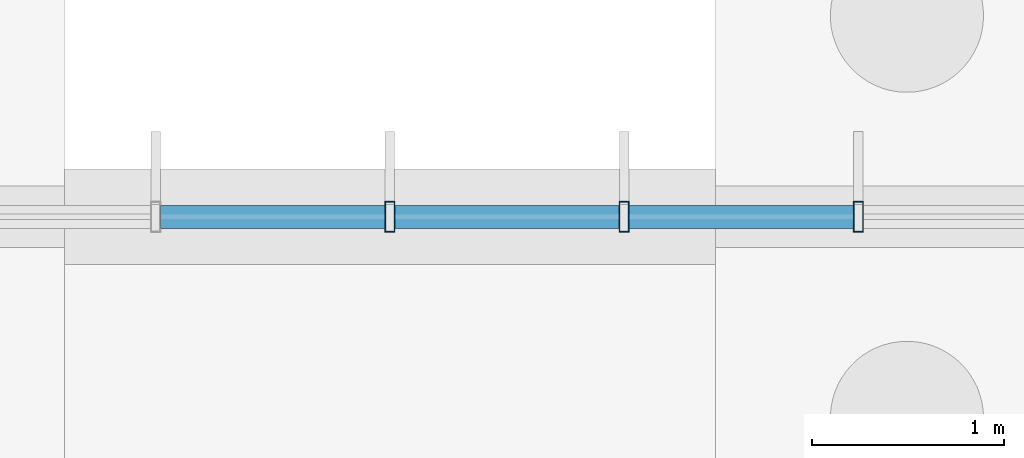
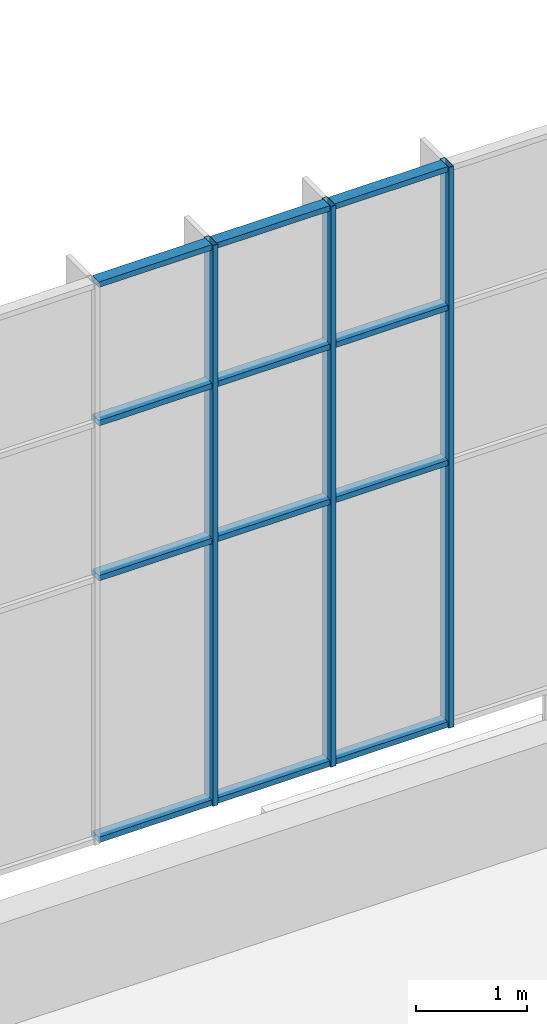
# One storey, part 69 of 136: 15 members, 1 element without a shape of its own.
"""IFC4 building model written with IfcOpenShell, lengths in metres."""

from ifc_helpers import new_model, si_unit, direction, frame, origin, origin_2d, place, context, subcontext, project, spatial, hollow_rectangle, extrude, material, layer, layer_set, material_profile, profile_set, type_object, element, aggregate, save


model = new_model("IFC4")

# Units and contexts
model_context = context("Model", 3, precision=1e-05, world=origin(), true_north=direction((0.0, 1.0)))
body_context = subcontext(model_context, "Body", "Model", "MODEL_VIEW")
ifc_project = project(units=[si_unit("LENGTHUNIT", "METRE"), si_unit("AREAUNIT", "SQUARE_METRE"), si_unit("VOLUMEUNIT", "CUBIC_METRE"), si_unit("PLANEANGLEUNIT", "RADIAN"), si_unit("MASSUNIT", "GRAM", prefix="KILO")], contexts=[model_context])

# Site, building, storey
site_placement = place(None, origin())
site = spatial("IfcSite", under=ifc_project, at=site_placement, CompositionType="ELEMENT")
building_placement = place(site_placement, origin())
building = spatial("IfcBuilding", under=site, at=building_placement, Name="Solvenia Promenade Tram Depot", CompositionType="ELEMENT")
storey_placement = place(building_placement, origin())
storey = spatial("IfcBuildingStorey", under=building, at=storey_placement, Name="L00", CompositionType="ELEMENT", Elevation=0.0)

# Curtain wall, members
ifc_material = material(Name="Anodized aluminium AW-6063 T6", Category="aluminium")
ifc_layer = layer(ifc_material, 0.159912109375, Name="Anodized aluminium AW-6063 T6", Category="aluminium")
ifc_layer_set = layer_set([ifc_layer], Name="Anodized aluminium AW-6063 T6")
curtain_wall_type = type_object("IfcCurtainWallType", Name="CW-Channel-1200", PredefinedType="NOTDEFINED", material=ifc_layer_set)
curtain_wall_placement = place(storey_placement, origin())
curtain_wall = element("IfcCurtainWall", 1, at=curtain_wall_placement, inside=storey, type_object=curtain_wall_type, Name="North Translucent Channel-Glass Wall 17", PredefinedType="NOTDEFINED")
ifc_material_profile_1 = material_profile(ifc_material, hollow_rectangle(XDim=0.159912109375, YDim=0.052001953125, WallThickness=0.00390625, at=origin_2d()), Name="ALU-M1", Category="aluminium")
ifc_profile_set_1 = profile_set([ifc_material_profile_1], Name="Anodized aluminium AW-6063 T6")
member_type_1 = type_object("IfcMemberType", Name="CWM-Mullion-1", PredefinedType="MULLION", material=ifc_profile_set_1)
member_1_placement = place(storey_placement, frame((123.75, 126.0, 1.60009765625), z_axis=(0.0, 0.0, 1.0), x_axis=(0.0, 1.0, 0.0)))
member_1 = element("IfcMember", 2, at=member_1_placement, type_object=member_type_1, Name="CW-1 mullion 4", PredefinedType="MULLION", context=body_context, shape_type="SweptSolid", body=[
    extrude(hollow_rectangle(XDim=0.159912109375, YDim=0.052001953125, WallThickness=0.00390625, at=origin_2d()), origin(), (0.0, 0.0, 1.0), 6.14990234375),
])
member_2_placement = place(storey_placement, frame((124.973388671875, 126.0, 1.60009765625), z_axis=(0.0, 0.0, 1.0), x_axis=(0.0, 1.0, 0.0)))
member_2 = element("IfcMember", 3, at=member_2_placement, type_object=member_type_1, Name="CW-1 mullion 5", PredefinedType="MULLION", context=body_context, shape_type="SweptSolid", body=[
    extrude(hollow_rectangle(XDim=0.159912109375, YDim=0.052001953125, WallThickness=0.00390625, at=origin_2d()), origin(), (0.0, 0.0, 1.0), 6.14990234375),
])
member_3_placement = place(storey_placement, frame((126.19677734375, 126.0, 1.60009765625), z_axis=(0.0, 0.0, 1.0), x_axis=(0.0, 1.0, 0.0)))
member_3 = element("IfcMember", 4, at=member_3_placement, type_object=member_type_1, Name="CW-1 mullion 6", PredefinedType="MULLION", context=body_context, shape_type="SweptSolid", body=[
    extrude(hollow_rectangle(XDim=0.159912109375, YDim=0.052001953125, WallThickness=0.00390625, at=origin_2d()), origin(), (0.0, 0.0, 1.0), 6.14990234375),
])
ifc_material_profile_2 = material_profile(ifc_material, hollow_rectangle(XDim=0.1201171875, YDim=0.06005859375, WallThickness=0.00390625, at=origin_2d()), Name="ALU-T1", Category="aluminium")
ifc_profile_set_2 = profile_set([ifc_material_profile_2], Name="Anodized aluminium AW-6063 T6")
member_type_2 = type_object("IfcMemberType", Name="CWT-Transom-1", PredefinedType="USERDEFINED", material=ifc_profile_set_2)
member_4_placement = place(storey_placement, frame((122.552734375, 126.0, 1.6298828125), z_axis=(1.0, 0.0, 0.0), x_axis=(0.0, 1.0, 0.0)))
member_4 = element("IfcMember", 5, at=member_4_placement, type_object=member_type_2, Name="CW-1 transom 3.1", ObjectType="TRANSOM", PredefinedType="USERDEFINED", context=body_context, shape_type="SweptSolid", body=[
    extrude(hollow_rectangle(XDim=0.1201171875, YDim=0.06005859375, WallThickness=0.00390625, at=origin_2d()), origin(), (0.0, 0.0, 1.0), 1.17138671875),
])
member_5_placement = place(storey_placement, frame((122.552734375, 126.0, 4.5), z_axis=(1.0, 0.0, 0.0), x_axis=(0.0, 1.0, 0.0)))
member_5 = element("IfcMember", 6, at=member_5_placement, type_object=member_type_2, Name="CW-1 transom 3.2", ObjectType="TRANSOM", PredefinedType="USERDEFINED", context=body_context, shape_type="SweptSolid", body=[
    extrude(hollow_rectangle(XDim=0.1201171875, YDim=0.06005859375, WallThickness=0.00390625, at=origin_2d()), origin(), (0.0, 0.0, 1.0), 1.17138671875),
])
member_6_placement = place(storey_placement, frame((122.552734375, 126.0, 6.199951171875), z_axis=(1.0, 0.0, 0.0), x_axis=(0.0, 1.0, 0.0)))
member_6 = element("IfcMember", 7, at=member_6_placement, type_object=member_type_2, Name="CW-1 transom 3.3", ObjectType="TRANSOM", PredefinedType="USERDEFINED", context=body_context, shape_type="SweptSolid", body=[
    extrude(hollow_rectangle(XDim=0.1201171875, YDim=0.06005859375, WallThickness=0.00390625, at=origin_2d()), origin(), (0.0, 0.0, 1.0), 1.17138671875),
])
member_7_placement = place(storey_placement, frame((122.552734375, 126.0, 7.719970703125), z_axis=(1.0, 0.0, 0.0), x_axis=(0.0, 1.0, 0.0)))
member_7 = element("IfcMember", 8, at=member_7_placement, type_object=member_type_2, Name="CW-1 transom 3.4", ObjectType="TRANSOM", PredefinedType="USERDEFINED", context=body_context, shape_type="SweptSolid", body=[
    extrude(hollow_rectangle(XDim=0.1201171875, YDim=0.06005859375, WallThickness=0.00390625, at=origin_2d()), origin(), (0.0, 0.0, 1.0), 1.17138671875),
])
member_8_placement = place(storey_placement, frame((123.77587890625, 126.0, 1.6298828125), z_axis=(1.0, 0.0, 0.0), x_axis=(0.0, 1.0, 0.0)))
member_8 = element("IfcMember", 9, at=member_8_placement, type_object=member_type_2, Name="CW-1 transom 4.1", ObjectType="TRANSOM", PredefinedType="USERDEFINED", context=body_context, shape_type="SweptSolid", body=[
    extrude(hollow_rectangle(XDim=0.1201171875, YDim=0.06005859375, WallThickness=0.00390625, at=origin_2d()), origin(), (0.0, 0.0, 1.0), 1.17138671875),
])
member_9_placement = place(storey_placement, frame((123.77587890625, 126.0, 4.5), z_axis=(1.0, 0.0, 0.0), x_axis=(0.0, 1.0, 0.0)))
member_9 = element("IfcMember", 10, at=member_9_placement, type_object=member_type_2, Name="CW-1 transom 4.2", ObjectType="TRANSOM", PredefinedType="USERDEFINED", context=body_context, shape_type="SweptSolid", body=[
    extrude(hollow_rectangle(XDim=0.1201171875, YDim=0.06005859375, WallThickness=0.00390625, at=origin_2d()), origin(), (0.0, 0.0, 1.0), 1.17138671875),
])
member_10_placement = place(storey_placement, frame((123.77587890625, 126.0, 6.199951171875), z_axis=(1.0, 0.0, 0.0), x_axis=(0.0, 1.0, 0.0)))
member_10 = element("IfcMember", 11, at=member_10_placement, type_object=member_type_2, Name="CW-1 transom 4.3", ObjectType="TRANSOM", PredefinedType="USERDEFINED", context=body_context, shape_type="SweptSolid", body=[
    extrude(hollow_rectangle(XDim=0.1201171875, YDim=0.06005859375, WallThickness=0.00390625, at=origin_2d()), origin(), (0.0, 0.0, 1.0), 1.17138671875),
])
member_11_placement = place(storey_placement, frame((123.77587890625, 126.0, 7.719970703125), z_axis=(1.0, 0.0, 0.0), x_axis=(0.0, 1.0, 0.0)))
member_11 = element("IfcMember", 12, at=member_11_placement, type_object=member_type_2, Name="CW-1 transom 4.4", ObjectType="TRANSOM", PredefinedType="USERDEFINED", context=body_context, shape_type="SweptSolid", body=[
    extrude(hollow_rectangle(XDim=0.1201171875, YDim=0.06005859375, WallThickness=0.00390625, at=origin_2d()), origin(), (0.0, 0.0, 1.0), 1.17138671875),
])
member_12_placement = place(storey_placement, frame((124.999267578125, 126.0, 1.6298828125), z_axis=(1.0, 0.0, 0.0), x_axis=(0.0, 1.0, 0.0)))
member_12 = element("IfcMember", 13, at=member_12_placement, type_object=member_type_2, Name="CW-1 transom 5.1", ObjectType="TRANSOM", PredefinedType="USERDEFINED", context=body_context, shape_type="SweptSolid", body=[
    extrude(hollow_rectangle(XDim=0.1201171875, YDim=0.06005859375, WallThickness=0.00390625, at=origin_2d()), origin(), (0.0, 0.0, 1.0), 1.17138671875),
])
member_13_placement = place(storey_placement, frame((124.999267578125, 126.0, 4.5), z_axis=(1.0, 0.0, 0.0), x_axis=(0.0, 1.0, 0.0)))
member_13 = element("IfcMember", 14, at=member_13_placement, type_object=member_type_2, Name="CW-1 transom 5.2", ObjectType="TRANSOM", PredefinedType="USERDEFINED", context=body_context, shape_type="SweptSolid", body=[
    extrude(hollow_rectangle(XDim=0.1201171875, YDim=0.06005859375, WallThickness=0.00390625, at=origin_2d()), origin(), (0.0, 0.0, 1.0), 1.17138671875),
])
member_14_placement = place(storey_placement, frame((124.999267578125, 126.0, 6.199951171875), z_axis=(1.0, 0.0, 0.0), x_axis=(0.0, 1.0, 0.0)))
member_14 = element("IfcMember", 15, at=member_14_placement, type_object=member_type_2, Name="CW-1 transom 5.3", ObjectType="TRANSOM", PredefinedType="USERDEFINED", context=body_context, shape_type="SweptSolid", body=[
    extrude(hollow_rectangle(XDim=0.1201171875, YDim=0.06005859375, WallThickness=0.00390625, at=origin_2d()), origin(), (0.0, 0.0, 1.0), 1.17138671875),
])
member_15_placement = place(storey_placement, frame((124.999267578125, 126.0, 7.719970703125), z_axis=(1.0, 0.0, 0.0), x_axis=(0.0, 1.0, 0.0)))
member_15 = element("IfcMember", 16, at=member_15_placement, type_object=member_type_2, Name="CW-1 transom 5.4", ObjectType="TRANSOM", PredefinedType="USERDEFINED", context=body_context, shape_type="SweptSolid", body=[
    extrude(hollow_rectangle(XDim=0.1201171875, YDim=0.06005859375, WallThickness=0.00390625, at=origin_2d()), origin(), (0.0, 0.0, 1.0), 1.17138671875),
])
aggregate(curtain_wall, [member_1, member_2, member_3, member_4, member_5, member_6, member_7, member_8, member_9, member_10, member_11, member_12, member_13, member_14, member_15])

save(model, "model.ifc")
